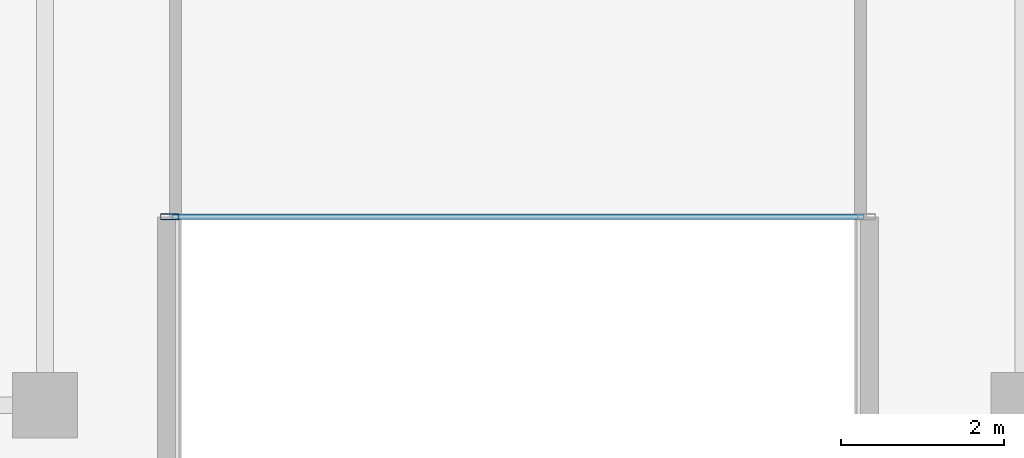
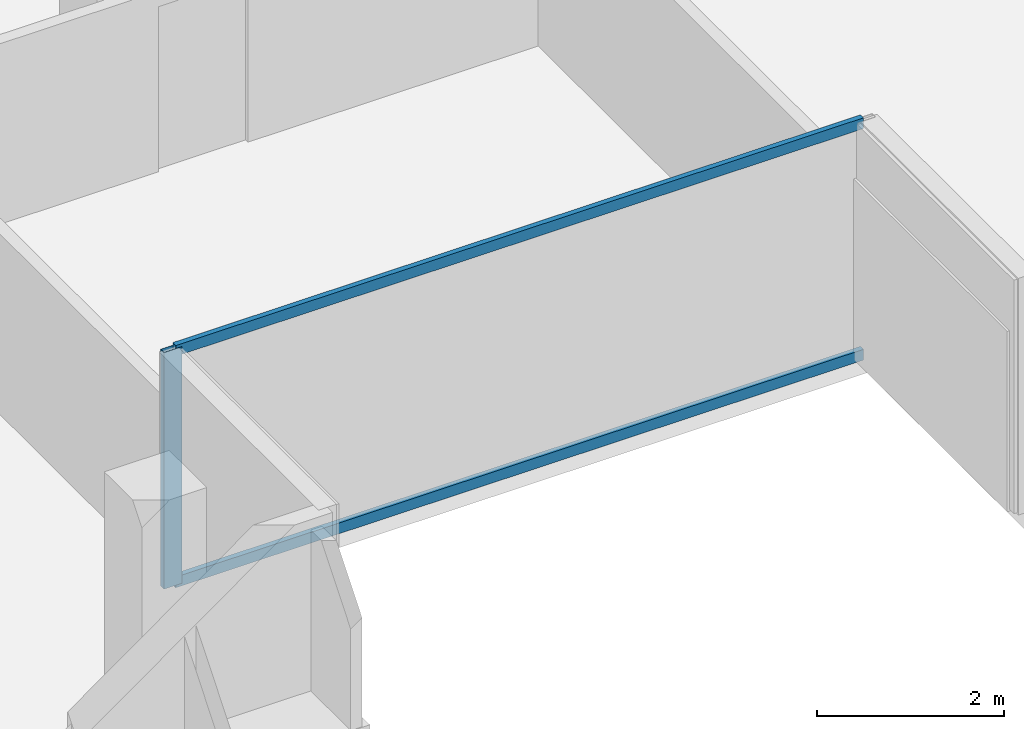
# One storey, part 2 of 22: 3 members, 1 element without a shape of its own.
"""IFC4 building model written with IfcOpenShell, lengths in metres."""

from ifc_helpers import new_model, si_unit, direction, frame, origin, origin_2d, place, context, subcontext, project, spatial, hollow_rectangle, extrude, material, layer, layer_set, material_profile, profile_set, type_object, element, aggregate, save


model = new_model("IFC4")

# Units and contexts
model_context = context("Model", 3, precision=1e-05, world=origin(), true_north=direction((0.0, 1.0)))
body_context = subcontext(model_context, "Body", "Model", "MODEL_VIEW")
ifc_project = project(units=[si_unit("LENGTHUNIT", "METRE"), si_unit("AREAUNIT", "SQUARE_METRE"), si_unit("VOLUMEUNIT", "CUBIC_METRE"), si_unit("PLANEANGLEUNIT", "RADIAN"), si_unit("MASSUNIT", "GRAM", prefix="KILO")], contexts=[model_context])

# Site, building, storey
site_placement = place(None, origin())
site = spatial("IfcSite", under=ifc_project, at=site_placement, CompositionType="ELEMENT")
building_placement = place(site_placement, origin())
building = spatial("IfcBuilding", under=site, at=building_placement, Name="Tanjung Sevakor Pilgrim Tower", CompositionType="ELEMENT")
storey_placement = place(building_placement, frame((0.0, 0.0, 195.030029296875)))
storey = spatial("IfcBuildingStorey", under=building, at=storey_placement, Name="L54", CompositionType="ELEMENT", Elevation=195.030029296875)

# Curtain wall, members
ifc_material_1 = material(Name="Aluminium 6063-T6 and Low-E Glass", Category="aluminium")
ifc_layer = layer(ifc_material_1, 0.179931640625)
ifc_layer_set = layer_set([ifc_layer], Name="CW-SYS-CLEFT")
curtain_wall_type = type_object("IfcCurtainWallType", Name="CW-SYS-CLEFT", PredefinedType="NOTDEFINED", material=ifc_layer_set)
curtain_wall_placement = place(storey_placement, origin())
curtain_wall = element("IfcCurtainWall", 1, at=curtain_wall_placement, inside=storey, type_object=curtain_wall_type, Name="L54 Curtain Wall CW-CLF-L54-2", PredefinedType="NOTDEFINED")
ifc_material_2 = material(Name="Aluminium 6063-T6", Category="aluminium")
ifc_material_profile_1 = material_profile(ifc_material_2, hollow_rectangle(XDim=0.074951171875, YDim=0.219970703125, WallThickness=0.0048828125, at=origin_2d()))
ifc_profile_set_1 = profile_set([ifc_material_profile_1], Name="Aluminium 6063-T6")
member_type_1 = type_object("IfcMemberType", Name="TYPE-CWM-2", PredefinedType="MULLION", material=ifc_profile_set_1)
member_1_placement = place(storey_placement, frame((43.527587890625, 15.56005859375, 0.0), z_axis=(0.0, 0.0, 1.0), x_axis=(0.0, 1.0, 0.0)))
member_1 = element("IfcMember", 2, at=member_1_placement, type_object=member_type_1, Name="CW-CLF mullion 1", PredefinedType="MULLION", context=body_context, shape_type="SweptSolid", body=[
    extrude(hollow_rectangle(XDim=0.074951171875, YDim=0.219970703125, WallThickness=0.0048828125, at=origin_2d()), origin(), (0.0, 0.0, 1.0), 3.080078125),
])
ifc_material_3 = material(Name="Aluminium 6063-T6", Category="aluminium")
ifc_material_profile_2 = material_profile(ifc_material_3, hollow_rectangle(XDim=0.06494140625, YDim=0.139892578125, WallThickness=0.00390625, at=origin_2d()))
ifc_profile_set_2 = profile_set([ifc_material_profile_2], Name="Aluminium 6063-T6")
member_type_2 = type_object("IfcMemberType", Name="TYPE-CWT-1", PredefinedType="USERDEFINED", material=ifc_profile_set_2)
member_2_placement = place(storey_placement, frame((43.56494140625, 15.56005859375, 0.032470703125), z_axis=(1.0, 0.0, 0.0), x_axis=(0.0, 1.0, 0.0)))
member_2 = element("IfcMember", 3, at=member_2_placement, type_object=member_type_2, Name="CW-CLF transom 1.1", ObjectType="TRANSOM", PredefinedType="USERDEFINED", context=body_context, shape_type="SweptSolid", body=[
    extrude(hollow_rectangle(XDim=0.06494140625, YDim=0.139892578125, WallThickness=0.00390625, at=origin_2d()), origin(), (0.0, 0.0, 1.0), 8.469970703125),
])
member_3_placement = place(storey_placement, frame((43.56494140625, 15.56005859375, 3.04736328125), z_axis=(1.0, 0.0, 0.0), x_axis=(0.0, 1.0, 0.0)))
member_3 = element("IfcMember", 4, at=member_3_placement, type_object=member_type_2, Name="CW-CLF transom 1.2", ObjectType="TRANSOM", PredefinedType="USERDEFINED", context=body_context, shape_type="SweptSolid", body=[
    extrude(hollow_rectangle(XDim=0.06494140625, YDim=0.139892578125, WallThickness=0.00390625, at=origin_2d()), origin(), (0.0, 0.0, 1.0), 8.469970703125),
])
aggregate(curtain_wall, [member_1, member_2, member_3])

save(model, "model.ifc")
